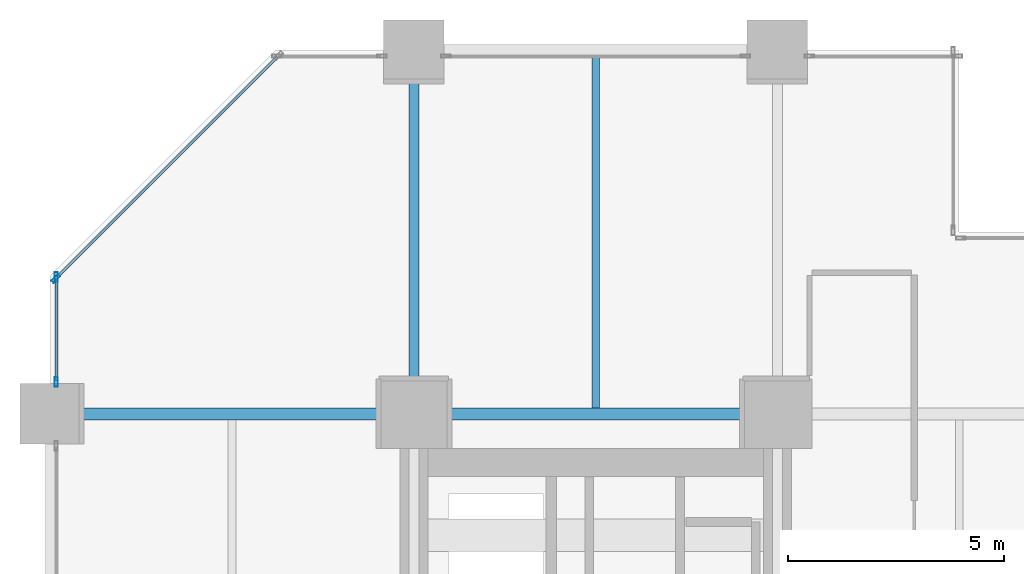
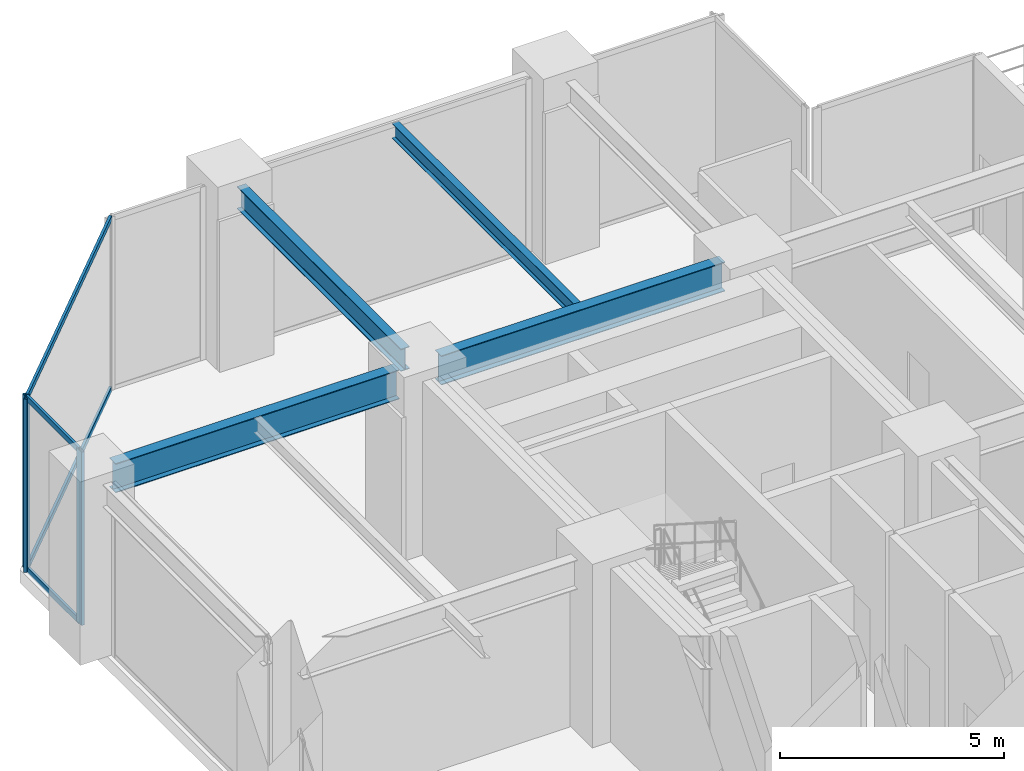
# One storey, part 9 of 21: 7 members, 4 beams, 2 elements without a shape of their own.
"""IFC4 building model written with IfcOpenShell, lengths in metres."""

from ifc_helpers import new_model, si_unit, direction, frame, origin, origin_2d, place, context, subcontext, project, spatial, hollow_rectangle, i_section, extrude, material, layer, layer_set, material_profile, profile_set, type_object, element, aggregate, save


model = new_model("IFC4")

# Units and contexts
model_context = context("Model", 3, precision=1e-05, world=origin(), true_north=direction((0.0, 1.0)))
body_context = subcontext(model_context, "Body", "Model", "MODEL_VIEW")
ifc_project = project(units=[si_unit("LENGTHUNIT", "METRE"), si_unit("AREAUNIT", "SQUARE_METRE"), si_unit("VOLUMEUNIT", "CUBIC_METRE"), si_unit("PLANEANGLEUNIT", "RADIAN"), si_unit("MASSUNIT", "GRAM", prefix="KILO")], contexts=[model_context])

# Site, building, storey
site_placement = place(None, origin())
site = spatial("IfcSite", under=ifc_project, at=site_placement, CompositionType="ELEMENT")
building_placement = place(site_placement, origin())
building = spatial("IfcBuilding", under=site, at=building_placement, Name="Nerrivon Quay Data Exchange", CompositionType="ELEMENT")
storey_placement = place(building_placement, frame((0.0, 0.0, 19.800048828125)))
storey = spatial("IfcBuildingStorey", under=building, at=storey_placement, Name="L04", CompositionType="ELEMENT", Elevation=19.800048828125)

# Beams
ifc_material_1 = material(Name="Steel Grade 350", Category="steel")
ifc_material_profile_1 = material_profile(ifc_material_1, i_section(OverallWidth=0.22900390625, OverallDepth=0.612060546875, WebThickness=0.011962890625, FlangeThickness=0.01953125, FilletRadius=0.013916015625, at=origin_2d()), Name="610UB125")
ifc_profile_set_1 = profile_set([ifc_material_profile_1], Name="Steel Grade 350")
beam_type_1 = type_object("IfcBeamType", Name="BM-G1-610UB125", PredefinedType="BEAM", material=ifc_profile_set_1)
beam_1_placement = place(storey_placement, frame((8.39990234375, 42.5400390625, 4.4189453125), z_axis=(0.0, 1.0, 0.0), x_axis=(-1.0, 0.0, 0.0)))
element("IfcBeam", 1, at=beam_1_placement, inside=storey, type_object=beam_type_1, Name="L04 NS Girder X=8.4 (42.0..50.4)", PredefinedType="BEAM", context=body_context, shape_type="SweptSolid", body=[
    extrude(i_section(OverallWidth=0.22900390625, OverallDepth=0.612060546875, WebThickness=0.011962890625, FlangeThickness=0.01953125, FilletRadius=0.013916015625, at=origin_2d()), origin(), (0.0, 0.0, 1.0), 7.320068359375),
])
ifc_material_profile_2 = material_profile(ifc_material_1, i_section(OverallWidth=0.27490234375, OverallDepth=0.800048828125, WebThickness=0.010009765625, FlangeThickness=0.02001953125, at=origin_2d()), Name="800WB146")
ifc_profile_set_2 = profile_set([ifc_material_profile_2], Name="Steel Grade 350")
beam_type_2 = type_object("IfcBeamType", Name="BM-G8-800WB146", PredefinedType="BEAM", material=ifc_profile_set_2)
for number, where, z_axis, x_axis, name in (
    (2, (0.5400390625, 42.0, 4.324951171875), (1.0, 0.0, 0.0), (0.0, 1.0, 0.0), "L04 EW Girder Y=42.0 (0.0..8.4)"),
    (3, (8.93994140625, 42.0, 4.324951171875), (1.0, 0.0, 0.0), (0.0, 1.0, 0.0), "L04 EW Girder Y=42.0 (8.4..16.8)"),
):
    element("IfcBeam", number, at=place(storey_placement, frame(where, z_axis=z_axis, x_axis=x_axis)), inside=storey, type_object=beam_type_2, Name=name, PredefinedType="BEAM", context=body_context, shape_type="SweptSolid", body=[
        extrude(i_section(OverallWidth=0.27490234375, OverallDepth=0.800048828125, WebThickness=0.010009765625, FlangeThickness=0.02001953125, at=origin_2d()), origin(), (0.0, 0.0, 1.0), 7.320068359375),
    ])
ifc_material_profile_3 = material_profile(ifc_material_1, i_section(OverallWidth=0.177978515625, OverallDepth=0.403076171875, WebThickness=0.007568359375, FlangeThickness=0.010986328125, FilletRadius=0.011474609375, at=origin_2d()), Name="410UB53.7")
ifc_profile_set_3 = profile_set([ifc_material_profile_3], Name="Steel Grade 350")
beam_type_3 = type_object("IfcBeamType", Name="BM-J2-410UB54", PredefinedType="JOIST", material=ifc_profile_set_3)
beam_2_placement = place(storey_placement, frame((12.60009765625, 42.137451171875, 4.5234375), z_axis=(0.0, 1.0, 0.0), x_axis=(-1.0, 0.0, 0.0)))
element("IfcBeam", 4, at=beam_2_placement, inside=storey, type_object=beam_type_3, Name="L04 Secondary Joist X=12.6 (42.0..50.4)", PredefinedType="JOIST", context=body_context, shape_type="SweptSolid", body=[
    extrude(i_section(OverallWidth=0.177978515625, OverallDepth=0.403076171875, WebThickness=0.007568359375, FlangeThickness=0.010986328125, FilletRadius=0.011474609375, at=origin_2d()), origin(), (0.0, 0.0, 1.0), 8.125),
])

# Curtain wall, members
ifc_material_2 = material(Name="Anodised aluminium 6063-T6", Category="aluminium")
ifc_layer = layer(ifc_material_2, 0.239990234375)
ifc_layer_set = layer_set([ifc_layer], Name="Anodised aluminium 6063-T6")
curtain_wall_type = type_object("IfcCurtainWallType", Name="CW-SYS-03", PredefinedType="NOTDEFINED", material=ifc_layer_set)
curtain_wall_1_placement = place(storey_placement, origin())
curtain_wall_1 = element("IfcCurtainWall", 5, at=curtain_wall_1_placement, inside=storey, type_object=curtain_wall_type, Name="L04 Unitised Curtain Wall 18", PredefinedType="NOTDEFINED")
ifc_material_profile_4 = material_profile(ifc_material_2, hollow_rectangle(XDim=0.074951171875, YDim=0.219970703125, WallThickness=0.00390625, at=origin_2d()), Name="ALU-MULL-220x75")
ifc_profile_set_4 = profile_set([ifc_material_profile_4], Name="Anodised aluminium 6063-T6")
member_type_1 = type_object("IfcMemberType", Name="CWM-220x75", PredefinedType="MULLION", material=ifc_profile_set_4)
member_1_placement = place(storey_placement, frame((0.139892578125, 42.737548828125, 0.0), z_axis=(0.0, 0.0, 1.0), x_axis=(-1.0, 0.0, 0.0)))
member_1 = element("IfcMember", 6, at=member_1_placement, type_object=member_type_1, Name="CW03 mullion 1", PredefinedType="MULLION", context=body_context, shape_type="SweptSolid", body=[
    extrude(hollow_rectangle(XDim=0.074951171875, YDim=0.219970703125, WallThickness=0.00390625, at=origin_2d()), origin(), (0.0, 0.0, 1.0), 4.724853515625),
])
member_2_placement = place(storey_placement, frame((0.139892578125, 45.16259765625, 0.0), z_axis=(0.0, 0.0, 1.0), x_axis=(-1.0, 0.0, 0.0)))
member_2 = element("IfcMember", 7, at=member_2_placement, type_object=member_type_1, Name="CW03 mullion 2", PredefinedType="MULLION", context=body_context, shape_type="SweptSolid", body=[
    extrude(hollow_rectangle(XDim=0.074951171875, YDim=0.219970703125, WallThickness=0.00390625, at=origin_2d()), origin(), (0.0, 0.0, 1.0), 4.724853515625),
])

# Curtain wall, member
curtain_wall_2_placement = place(storey_placement, origin())
curtain_wall_2 = element("IfcCurtainWall", 8, at=curtain_wall_2_placement, inside=storey, type_object=curtain_wall_type, Name="L04 Unitised Curtain Wall 19", PredefinedType="NOTDEFINED")
member_3_placement = place(storey_placement, frame((0.12548828125, 45.12744140625, 0.0), z_axis=(0.0, 0.0, 1.0), x_axis=(-0.707106781187, 0.707106781187, 0.0)))
member_3 = element("IfcMember", 9, at=member_3_placement, type_object=member_type_1, Name="CW03 mullion 1", PredefinedType="MULLION", context=body_context, shape_type="SweptSolid", body=[
    extrude(hollow_rectangle(XDim=0.074951171875, YDim=0.219970703125, WallThickness=0.00390625, at=origin_2d()), origin(), (0.0, 0.0, 1.0), 4.724853515625),
])

# Member
ifc_material_profile_5 = material_profile(ifc_material_2, hollow_rectangle(XDim=0.06494140625, YDim=0.14990234375, WallThickness=0.00341796875, at=origin_2d()), Name="ALU-TRAN-150x65")
ifc_profile_set_5 = profile_set([ifc_material_profile_5], Name="Anodised aluminium 6063-T6")
member_type_2 = type_object("IfcMemberType", Name="CWT-150x65", PredefinedType="USERDEFINED", material=ifc_profile_set_5)
member_4_placement = place(storey_placement, frame((0.139892578125, 42.77490234375, 0.032470703125), z_axis=(0.0, 1.0, 0.0), x_axis=(-1.0, 0.0, 0.0)))
member_4 = element("IfcMember", 10, at=member_4_placement, type_object=member_type_2, Name="CW03 transom 1.1", ObjectType="TRANSOM", PredefinedType="USERDEFINED", context=body_context, shape_type="SweptSolid", body=[
    extrude(hollow_rectangle(XDim=0.06494140625, YDim=0.14990234375, WallThickness=0.00341796875, at=origin_2d()), origin(), (0.0, 0.0, 1.0), 2.35009765625),
])

member_5_placement = place(storey_placement, frame((0.139892578125, 42.77490234375, 4.6923828125), z_axis=(0.0, 1.0, 0.0), x_axis=(-1.0, 0.0, 0.0)))
member_5 = element("IfcMember", 11, at=member_5_placement, type_object=member_type_2, Name="CW03 transom 1.2", ObjectType="TRANSOM", PredefinedType="USERDEFINED", context=body_context, shape_type="SweptSolid", body=[
    extrude(hollow_rectangle(XDim=0.06494140625, YDim=0.14990234375, WallThickness=0.00341796875, at=origin_2d()), origin(), (0.0, 0.0, 1.0), 2.35009765625),
])

aggregate(curtain_wall_1, [member_1, member_2, member_4, member_5])

member_6_placement = place(storey_placement, frame((0.152099609375, 45.154052734375, 0.032470703125), z_axis=(0.707089835771, 0.707123726196, 0.0), x_axis=(-0.707123726196, 0.707089835771, 0.0)))
member_6 = element("IfcMember", 12, at=member_6_placement, type_object=member_type_2, Name="CW03 transom 1.1", ObjectType="TRANSOM", PredefinedType="USERDEFINED", context=body_context, shape_type="SweptSolid", body=[
    extrude(hollow_rectangle(XDim=0.06494140625, YDim=0.14990234375, WallThickness=0.00341796875, at=origin_2d()), origin(), (0.0, 0.0, 1.0), 7.203857421875),
])

member_7_placement = place(storey_placement, frame((0.152099609375, 45.154052734375, 4.6923828125), z_axis=(0.707089835771, 0.707123726196, 0.0), x_axis=(-0.707123726196, 0.707089835771, 0.0)))
member_7 = element("IfcMember", 13, at=member_7_placement, type_object=member_type_2, Name="CW03 transom 1.2", ObjectType="TRANSOM", PredefinedType="USERDEFINED", context=body_context, shape_type="SweptSolid", body=[
    extrude(hollow_rectangle(XDim=0.06494140625, YDim=0.14990234375, WallThickness=0.00341796875, at=origin_2d()), origin(), (0.0, 0.0, 1.0), 7.203857421875),
])

aggregate(curtain_wall_2, [member_3, member_6, member_7])

save(model, "model.ifc")
